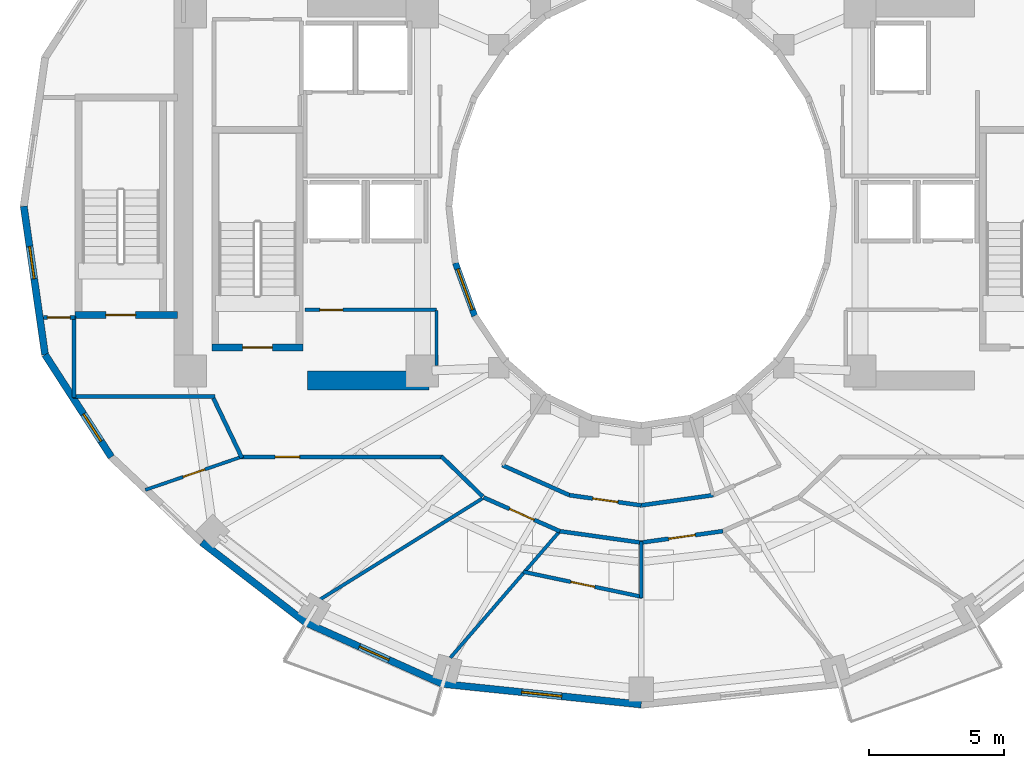
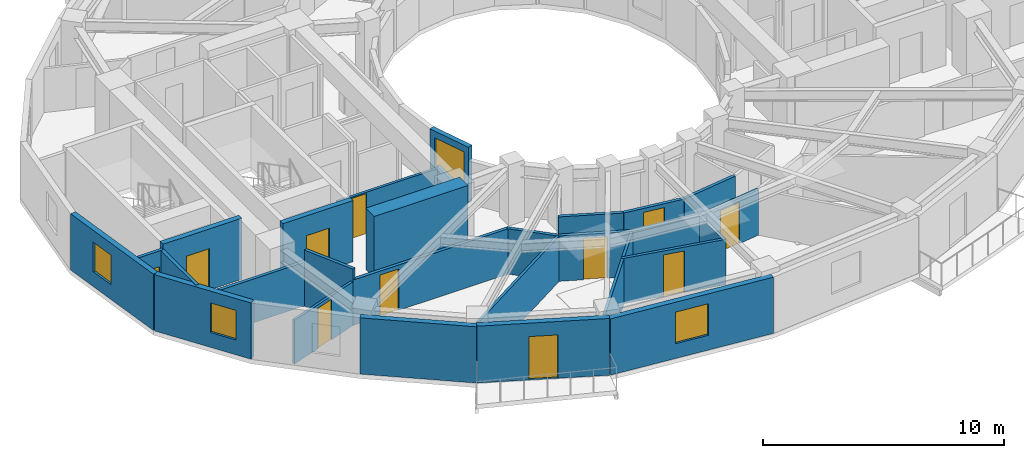
# One storey, part 3 of 10: 28 walls, 11 doors, 4 windows, 15 openings.
"""IFC4 building model written with IfcOpenShell, lengths in metres."""

from ifc_helpers import new_model, si_unit, direction, frame, frame_2d, origin, place, context, subcontext, project, spatial, rectangle, extrude, material, layer, layer_set, type_object, element, fill, save


model = new_model("IFC4")

# Units and contexts
model_context = context("Model", 3, precision=1e-05, world=origin(), true_north=direction((0.0, 1.0)))
body_context = subcontext(model_context, "Body", "Model", "MODEL_VIEW")
ifc_project = project(units=[si_unit("LENGTHUNIT", "METRE"), si_unit("AREAUNIT", "SQUARE_METRE"), si_unit("VOLUMEUNIT", "CUBIC_METRE"), si_unit("PLANEANGLEUNIT", "RADIAN"), si_unit("MASSUNIT", "GRAM", prefix="KILO")], contexts=[model_context])

# Site, building, storey
site_placement = place(None, origin())
site = spatial("IfcSite", under=ifc_project, at=site_placement, CompositionType="ELEMENT")
building_placement = place(site_placement, origin())
building = spatial("IfcBuilding", under=site, at=building_placement, Name="Solvane Sanctuary Tower", CompositionType="ELEMENT")
storey_placement = place(building_placement, frame((0.0, 0.0, 146.699951171875)))
storey = spatial("IfcBuildingStorey", under=building, at=storey_placement, Name="L44", CompositionType="ELEMENT", Elevation=146.699951171875)

# Wall
ifc_material_1 = material(Name="Concrete C60/75", Category="concrete")
ifc_layer_1 = layer(ifc_material_1, 0.699951171875, Name="Concrete C60/75")
ifc_layer_set_1 = layer_set([ifc_layer_1], Name="Concrete C60/75")
wall_type_1 = type_object("IfcWallType", Name="Wall W-CORE-700", PredefinedType="SHEAR", material=ifc_layer_set_1)
wall_1_placement = place(storey_placement, frame((19.64990234375, 16.550048828125, 0.0), z_axis=(0.0, 0.0, 1.0), x_axis=(1.0, 0.0, 0.0)))
element("IfcWall", 1, at=wall_1_placement, inside=storey, type_object=wall_type_1, Name="L44 Core Shear Wall WC-S", PredefinedType="SHEAR", context=body_context, shape_type="SweptSolid", body=[
    extrude(rectangle(XDim=4.5, YDim=0.699951171875, at=frame_2d((2.25, 0.0))), origin(), (0.0, 0.0, 1.0), 3.10009765625),
])

# Wall, opening, door
ifc_material_2 = material(Name="Acoustic Gypsum Partition Board")
ifc_layer_2 = layer(ifc_material_2, 0.14990234375, Name="Acoustic Gypsum Partition Board")
ifc_layer_set_2 = layer_set([ifc_layer_2], Name="Acoustic Gypsum Partition Board")
wall_type_2 = type_object("IfcWallType", Name="Wall W-CORR-150", PredefinedType="PARTITIONING", material=ifc_layer_set_2)
wall_2_placement = place(storey_placement, frame((9.869873046875, 18.8798828125, 0.0), z_axis=(0.0, 0.0, 1.0), x_axis=(1.0, 0.0, 0.0)))
wall_2 = element("IfcWall", 2, at=wall_2_placement, inside=storey, type_object=wall_type_2, Name="L44 SW Corner Closer 1", PredefinedType="PARTITIONING", context=body_context, shape_type="SweptSolid", body=[
    extrude(rectangle(XDim=1.170166015625, YDim=0.14990234375, at=frame_2d((0.5849609375, 0.0))), origin(), (0.0, 0.0, 1.0), 2.85498046875),
])
opening_1_placement = place(wall_2_placement, frame((0.139892578125, 0.0, 0.0)))
opening_1 = element("IfcOpeningElement", 3, at=opening_1_placement, cuts=wall_2, Name="Opening D-L44-19", PredefinedType="OPENING", context=body_context, shape_type="SweptSolid", body=[
    extrude(rectangle(XDim=0.85009765625, YDim=2.050048828125, at=frame_2d((0.425048828125, 1.02490234375))), frame((0.0, 0.0849609375, 0.0), z_axis=(0.0, -1.0, 0.0), x_axis=(1.0, 0.0, 0.0)), (0.0, 0.0, 1.0), 0.169921875),
])
ifc_material_3 = material(Name="Architectural Stainless Steel 316", Category="steel")
door_type_1 = type_object("IfcDoorType", Name="Door D-RISER", OperationType="NOTDEFINED", PredefinedType="DOOR", material=ifc_material_3)
door_1_placement = place(opening_1_placement, origin())
door_1 = element("IfcDoor", 4, at=door_1_placement, inside=storey, type_object=door_type_1, Name="L44 West Lookout Study Door", OperationType="SINGLE_SWING_RIGHT", OverallHeight=2.050048828125, OverallWidth=0.85009765625, PredefinedType="DOOR", context=body_context, shape_type="SweptSolid", body=[
    extrude(rectangle(XDim=0.85009765625, YDim=2.050048828125, at=frame_2d((0.425048828125, 1.02490234375))), frame((0.0, 0.02490234375, 0.0), z_axis=(0.0, -1.0, 0.0), x_axis=(1.0, 0.0, 0.0)), (0.0, 0.0, 1.0), 0.050048828125),
])
fill(opening_1, door_1)

# Walls
wall_3_placement = place(storey_placement, frame((11.0, 15.909912109375, 0.0), z_axis=(0.0, 0.0, 1.0), x_axis=(0.0, 1.0, 0.0)))
element("IfcWall", 5, at=wall_3_placement, inside=storey, type_object=wall_type_2, Name="L44 SW Corner Closer 2", PredefinedType="PARTITIONING", context=body_context, shape_type="SweptSolid", body=[
    extrude(rectangle(XDim=3.010009765625, YDim=0.14990234375, at=frame_2d((1.5048828125, 0.0))), origin(), (0.0, 0.0, 1.0), 2.85498046875),
])
wall_4_placement = place(storey_placement, frame((10.9599609375, 15.949951171875, 0.0), z_axis=(0.0, 0.0, 1.0), x_axis=(1.0, 0.0, 0.0)))
element("IfcWall", 6, at=wall_4_placement, inside=storey, type_object=wall_type_2, Name="L44 SW Corner Closer 3", PredefinedType="PARTITIONING", context=body_context, shape_type="SweptSolid", body=[
    extrude(rectangle(XDim=5.260009765625, YDim=0.14990234375, at=frame_2d((2.6298828125, 0.0))), origin(), (0.0, 0.0, 1.0), 2.219970703125),
])
wall_5_placement = place(storey_placement, frame((26.132568359375, 12.251220703125, 0.0), z_axis=(0.0, 0.0, 1.0), x_axis=(-0.717419568599, 0.696641344302, 0.0)))
element("IfcWall", 7, at=wall_5_placement, inside=storey, type_object=wall_type_2, Name="L44 SW Corner Throat Wall", PredefinedType="PARTITIONING", context=body_context, shape_type="SweptSolid", body=[
    extrude(rectangle(XDim=2.138427734375, YDim=0.14990234375, at=frame_2d((1.0693359375, 0.0))), origin(), (0.0, 0.0, 1.0), 2.299072265625),
])

# Wall, opening, door
wall_6_placement = place(storey_placement, frame((17.14990234375, 13.719970703125, 0.0), z_axis=(0.0, 0.0, 1.0), x_axis=(1.0, 0.0, 0.0)))
wall_6 = element("IfcWall", 8, at=wall_6_placement, inside=storey, type_object=wall_type_2, Name="L44 SW Corner Corridor Wall", PredefinedType="PARTITIONING", context=body_context, shape_type="SweptSolid", body=[
    extrude(rectangle(XDim=7.52001953125, YDim=0.14990234375, at=frame_2d((3.760009765625, 0.0))), origin(), (0.0, 0.0, 1.0), 2.299072265625),
])
opening_2_placement = place(wall_6_placement, frame((1.300048828125, 0.0, 0.0)))
opening_2 = element("IfcOpeningElement", 9, at=opening_2_placement, cuts=wall_6, Name="Opening D-L44-21", PredefinedType="OPENING", context=body_context, shape_type="SweptSolid", body=[
    extrude(rectangle(XDim=0.89990234375, YDim=2.10009765625, at=frame_2d((0.449951171875, 1.050048828125))), frame((0.0, 0.0849609375, 0.0), z_axis=(0.0, -1.0, 0.0), x_axis=(1.0, 0.0, 0.0)), (0.0, 0.0, 1.0), 0.169921875),
])
ifc_material_4 = material(Name="Engineered Tropical Hardwood", Category="wood")
door_type_2 = type_object("IfcDoorType", Name="Door D-WET-900", OperationType="NOTDEFINED", PredefinedType="DOOR", material=ifc_material_4)
door_2_placement = place(opening_2_placement, origin())
door_2 = element("IfcDoor", 10, at=door_2_placement, inside=storey, type_object=door_type_2, Name="L44 SW Corner Salon Door", OperationType="SINGLE_SWING_RIGHT", OverallHeight=2.10009765625, OverallWidth=0.89990234375, PredefinedType="DOOR", context=body_context, shape_type="SweptSolid", body=[
    extrude(rectangle(XDim=0.89990234375, YDim=2.10009765625, at=frame_2d((0.449951171875, 1.050048828125))), frame((0.0, 0.02490234375, 0.0), z_axis=(0.0, -1.0, 0.0), x_axis=(1.0, 0.0, 0.0)), (0.0, 0.0, 1.0), 0.050048828125),
])
fill(opening_2, door_2)

# Walls
wall_7_placement = place(storey_placement, frame((17.2216796875, 13.6748046875, 0.0), z_axis=(0.0, 0.0, 1.0), x_axis=(-0.431973389813, 0.901886351207, 0.0)))
element("IfcWall", 11, at=wall_7_placement, inside=storey, type_object=wall_type_2, Name="L44 SW Corner Wing Wall", PredefinedType="PARTITIONING", context=body_context, shape_type="SweptSolid", body=[
    extrude(rectangle(XDim=2.45166015625, YDim=0.14990234375, at=frame_2d((1.225830078125, 0.0))), origin(), (0.0, 0.0, 1.0), 2.85498046875),
])
wall_8_placement = place(storey_placement, frame((26.855712890625, 13.411865234375, 0.0), z_axis=(0.0, 0.0, 1.0), x_axis=(0.912985265053, -0.407992531545, 0.0)))
element("IfcWall", 12, at=wall_8_placement, inside=storey, type_object=wall_type_2, Name="L44 Inner Light-Well Corridor Wall S1", PredefinedType="PARTITIONING", context=body_context, shape_type="SweptSolid", body=[
    extrude(rectangle(XDim=2.723388671875, YDim=0.14990234375, at=frame_2d((1.36181640625, 0.0))), origin(), (0.0, 0.0, 1.0), 2.299072265625),
])

# Wall, opening, door
wall_9_placement = place(storey_placement, frame((29.338623046875, 12.302001953125, 0.0), z_axis=(0.0, 0.0, 1.0), x_axis=(0.990079774468, -0.140506370634, 0.0)))
wall_9 = element("IfcWall", 13, at=wall_9_placement, inside=storey, type_object=wall_type_2, Name="L44 Inner Light-Well Corridor Wall S1", PredefinedType="PARTITIONING", context=body_context, shape_type="SweptSolid", body=[
    extrude(rectangle(XDim=2.689697265625, YDim=0.14990234375, at=frame_2d((1.3447265625, 0.0))), origin(), (0.0, 0.0, 1.0), 2.299072265625),
])
opening_3_placement = place(wall_9_placement, frame((0.869873046875, 0.0, 0.0)))
opening_3 = element("IfcOpeningElement", 14, at=opening_3_placement, cuts=wall_9, Name="Opening D-L44-23", PredefinedType="OPENING", context=body_context, shape_type="SweptSolid", body=[
    extrude(rectangle(XDim=0.949951171875, YDim=2.10009765625, at=frame_2d((0.47509765625, 1.050048828125))), frame((0.0, 0.0849609375, 0.0), z_axis=(0.0, -1.0, 0.0), x_axis=(1.0, 0.0, 0.0)), (0.0, 0.0, 1.0), 0.169921875),
])
door_type_3 = type_object("IfcDoorType", Name="Door D-ROOM-950", OperationType="NOTDEFINED", PredefinedType="DOOR", material=ifc_material_4)
door_3_placement = place(opening_3_placement, origin())
door_3 = element("IfcDoor", 15, at=door_3_placement, inside=storey, type_object=door_type_3, Name="L44 Inner Light-Well Salon Door S1", OperationType="SINGLE_SWING_RIGHT", OverallHeight=2.10009765625, OverallWidth=0.949951171875, PredefinedType="DOOR", context=body_context, shape_type="SweptSolid", body=[
    extrude(rectangle(XDim=0.949951171875, YDim=2.10009765625, at=frame_2d((0.47509765625, 1.050048828125))), frame((0.0, 0.02490234375, 0.0), z_axis=(0.0, -1.0, 0.0), x_axis=(1.0, 0.0, 0.0)), (0.0, 0.0, 1.0), 0.050048828125),
])
fill(opening_3, door_3)

# Wall
wall_10_placement = place(storey_placement, frame((31.998291015625, 11.924072265625, 0.0), z_axis=(0.0, 0.0, 1.0), x_axis=(0.990041682628, 0.140774524184, 0.0)))
element("IfcWall", 16, at=wall_10_placement, inside=storey, type_object=wall_type_2, Name="L44 Inner Light-Well Corridor Wall S1", PredefinedType="PARTITIONING", context=body_context, shape_type="SweptSolid", body=[
    extrude(rectangle(XDim=2.695068359375, YDim=0.14990234375, at=frame_2d((1.34765625, 0.0))), origin(), (0.0, 0.0, 1.0), 2.299072265625),
])

# Wall, opening, door
wall_11_placement = place(storey_placement, frame((26.1650390625, 12.217041015625, 0.0), z_axis=(0.0, 0.0, 1.0), x_axis=(0.91445214467, -0.404694051239, 0.0)))
wall_11 = element("IfcWall", 17, at=wall_11_placement, inside=storey, type_object=wall_type_2, Name="L44 Unit Corridor Wall S1", PredefinedType="PARTITIONING", context=body_context, shape_type="SweptSolid", body=[
    extrude(rectangle(XDim=3.090576171875, YDim=0.14990234375, at=frame_2d((1.54541015625, 0.0))), origin(), (0.0, 0.0, 1.0), 2.299072265625),
])
opening_4_placement = place(wall_11_placement, frame((1.04541015625, 0.0, 0.0)))
opening_4 = element("IfcOpeningElement", 18, at=opening_4_placement, cuts=wall_11, Name="Opening D-L44-31", PredefinedType="OPENING", context=body_context, shape_type="SweptSolid", body=[
    extrude(rectangle(XDim=1.0, YDim=2.10009765625, at=frame_2d((0.5, 1.050048828125))), frame((0.0, 0.0849609375, 0.0), z_axis=(0.0, -1.0, 0.0), x_axis=(1.0, 0.0, 0.0)), (0.0, 0.0, 1.0), 0.169921875),
])
door_type_4 = type_object("IfcDoorType", Name="Door D-UNIT", OperationType="NOTDEFINED", PredefinedType="DOOR", material=ifc_material_4)
door_4_placement = place(opening_4_placement, origin())
door_4 = element("IfcDoor", 19, at=door_4_placement, inside=storey, type_object=door_type_4, Name="L44 Unit Entrance Door S1", OperationType="SINGLE_SWING_RIGHT", OverallHeight=2.10009765625, OverallWidth=1.0, PredefinedType="DOOR", context=body_context, shape_type="SweptSolid", body=[
    extrude(rectangle(XDim=1.0, YDim=2.10009765625, at=frame_2d((0.5, 1.050048828125))), frame((0.0, 0.02490234375, 0.0), z_axis=(0.0, -1.0, 0.0), x_axis=(1.0, 0.0, 0.0)), (0.0, 0.0, 1.0), 0.050048828125),
])
fill(opening_4, door_4)

# Wall
wall_12_placement = place(storey_placement, frame((28.93359375, 10.975341796875, 0.0), z_axis=(0.0, 0.0, 1.0), x_axis=(0.990254405439, -0.139270285808, 0.0)))
element("IfcWall", 20, at=wall_12_placement, inside=storey, type_object=wall_type_2, Name="L44 En-suite Inner Wall S2", PredefinedType="PARTITIONING", context=body_context, shape_type="SweptSolid", body=[
    extrude(rectangle(XDim=3.146728515625, YDim=0.14990234375, at=frame_2d((1.5732421875, 0.0))), origin(), (0.0, 0.0, 1.0), 2.299072265625),
])

# Wall, opening, door
wall_13_placement = place(storey_placement, frame((31.991943359375, 10.5439453125, 0.0), z_axis=(0.0, 0.0, 1.0), x_axis=(0.990243864279, 0.139345216129, 0.0)))
wall_13 = element("IfcWall", 21, at=wall_13_placement, inside=storey, type_object=wall_type_2, Name="L44 Unit Corridor Wall S2", PredefinedType="PARTITIONING", context=body_context, shape_type="SweptSolid", body=[
    extrude(rectangle(XDim=3.0625, YDim=0.14990234375, at=frame_2d((1.53125, 0.0))), origin(), (0.0, 0.0, 1.0), 2.299072265625),
])
opening_5_placement = place(wall_13_placement, frame((1.03125, 0.0, 0.0)))
opening_5 = element("IfcOpeningElement", 22, at=opening_5_placement, cuts=wall_13, Name="Opening D-L44-33", PredefinedType="OPENING", context=body_context, shape_type="SweptSolid", body=[
    extrude(rectangle(XDim=1.0, YDim=2.10009765625, at=frame_2d((0.5, 1.050048828125))), frame((0.0, 0.0849609375, 0.0), z_axis=(0.0, -1.0, 0.0), x_axis=(1.0, 0.0, 0.0)), (0.0, 0.0, 1.0), 0.169921875),
])
door_5_placement = place(opening_5_placement, origin())
door_5 = element("IfcDoor", 23, at=door_5_placement, inside=storey, type_object=door_type_4, Name="L44 Unit Entrance Door S2", OperationType="SINGLE_SWING_RIGHT", OverallHeight=2.10009765625, OverallWidth=1.0, PredefinedType="DOOR", context=body_context, shape_type="SweptSolid", body=[
    extrude(rectangle(XDim=1.0, YDim=2.10009765625, at=frame_2d((0.5, 1.050048828125))), frame((0.0, 0.02490234375, 0.0), z_axis=(0.0, -1.0, 0.0), x_axis=(1.0, 0.0, 0.0)), (0.0, 0.0, 1.0), 0.050048828125),
])
fill(opening_5, door_5)

# Wall, opening, window
ifc_material_5 = material(Name="Precast concrete C40/50", Category="concrete")
ifc_layer_3 = layer(ifc_material_5, 0.260009765625, Name="Precast concrete C40/50")
ifc_layer_set_3 = layer_set([ifc_layer_3], Name="Precast concrete C40/50")
wall_type_3 = type_object("IfcWallType", Name="Wall W-EXT-250", PredefinedType="STANDARD", material=ifc_layer_set_3)
wall_14_placement = place(storey_placement, frame((9.139892578125, 23.0, 0.0), z_axis=(0.0, 0.0, 1.0), x_axis=(0.142227632286, -0.989833976288, 0.0)))
wall_14 = element("IfcWall", 24, at=wall_14_placement, inside=storey, type_object=wall_type_3, Name="L44 Ceramic-Printed Facade Wall 12", PredefinedType="STANDARD", context=body_context, shape_type="SweptSolid", body=[
    extrude(rectangle(XDim=5.552978515625, YDim=0.260009765625, at=frame_2d((2.7763671875, 0.0))), origin(), (0.0, 0.0, 1.0), 2.85009765625),
])
opening_6_placement = place(wall_14_placement, frame((1.506103515625, 0.0, 0.75)))
opening_6 = element("IfcOpeningElement", 25, at=opening_6_placement, cuts=wall_14, Name="Opening WN-OPER-1200", PredefinedType="OPENING", context=body_context, shape_type="SweptSolid", body=[
    extrude(rectangle(XDim=1.199951171875, YDim=1.5, at=frame_2d((0.60009765625, 0.75))), frame((0.0, 0.139892578125, 0.0), z_axis=(0.0, -1.0, 0.0), x_axis=(1.0, 0.0, 0.0)), (0.0, 0.0, 1.0), 0.280029296875),
])
ifc_material_6 = material(Name="Dark Ceramic-Fritted Low-E Glass", Category="glass")
window_type_1 = type_object("IfcWindowType", Name="Window WN-OPER-1200", PartitioningType="SINGLE_PANEL", PredefinedType="WINDOW", material=ifc_material_6)
window_1_placement = place(opening_6_placement, origin())
window_1 = element("IfcWindow", 26, at=window_1_placement, inside=storey, type_object=window_type_1, Name="L44 Operable Facade Window 12", OverallHeight=1.5, OverallWidth=1.199951171875, PartitioningType="SINGLE_PANEL", PredefinedType="WINDOW", context=body_context, shape_type="SweptSolid", body=[
    extrude(rectangle(XDim=1.199951171875, YDim=1.5, at=frame_2d((0.60009765625, 0.75))), frame((0.0, 0.030029296875, 0.0), z_axis=(0.0, -1.0, 0.0), x_axis=(1.0, 0.0, 0.0)), (0.0, 0.0, 1.0), 0.06005859375),
])
fill(opening_6, window_1)

wall_15_placement = place(storey_placement, frame((9.9296875, 17.50341796875, 0.0), z_axis=(0.0, 0.0, 1.0), x_axis=(0.543358984534, -0.839500454989, 0.0)))
wall_15 = element("IfcWall", 27, at=wall_15_placement, inside=storey, type_object=wall_type_3, Name="L44 Ceramic-Printed Facade Wall 13", PredefinedType="STANDARD", context=body_context, shape_type="SweptSolid", body=[
    extrude(rectangle(XDim=4.51123046875, YDim=0.260009765625, at=frame_2d((2.255615234375, 0.0))), origin(), (0.0, 0.0, 1.0), 2.85009765625),
])
opening_7_placement = place(wall_15_placement, frame((2.615478515625, 0.0, 0.75)))
opening_7 = element("IfcOpeningElement", 28, at=opening_7_placement, cuts=wall_15, Name="Opening WN-OPER-1200", PredefinedType="OPENING", context=body_context, shape_type="SweptSolid", body=[
    extrude(rectangle(XDim=1.199951171875, YDim=1.5, at=frame_2d((0.60009765625, 0.75))), frame((0.0, 0.139892578125, 0.0), z_axis=(0.0, -1.0, 0.0), x_axis=(1.0, 0.0, 0.0)), (0.0, 0.0, 1.0), 0.280029296875),
])
window_2_placement = place(opening_7_placement, origin())
window_2 = element("IfcWindow", 29, at=window_2_placement, inside=storey, type_object=window_type_1, Name="L44 Operable Facade Window 13", OverallHeight=1.5, OverallWidth=1.199951171875, PartitioningType="SINGLE_PANEL", PredefinedType="WINDOW", context=body_context, shape_type="SweptSolid", body=[
    extrude(rectangle(XDim=1.199951171875, YDim=1.5, at=frame_2d((0.60009765625, 0.75))), frame((0.0, 0.030029296875, 0.0), z_axis=(0.0, -1.0, 0.0), x_axis=(1.0, 0.0, 0.0)), (0.0, 0.0, 1.0), 0.06005859375),
])
fill(opening_7, window_2)

# Wall
wall_16_placement = place(storey_placement, frame((15.730712890625, 10.55859375, 0.0), z_axis=(0.0, 0.0, 1.0), x_axis=(0.791460185804, -0.611220724687, 0.0)))
element("IfcWall", 30, at=wall_16_placement, inside=storey, type_object=wall_type_3, Name="L44 Ceramic-Printed Facade Wall 15", PredefinedType="STANDARD", context=body_context, shape_type="SweptSolid", body=[
    extrude(rectangle(XDim=4.872314453125, YDim=0.260009765625, at=frame_2d((2.43603515625, 0.0))), origin(), (0.0, 0.0, 1.0), 2.85009765625),
])

# Wall, opening, door
wall_17_placement = place(storey_placement, frame((19.5869140625, 7.58056640625, 0.0), z_axis=(0.0, 0.0, 1.0), x_axis=(0.912353637112, -0.409403029847, 0.0)))
wall_17 = element("IfcWall", 31, at=wall_17_placement, inside=storey, type_object=wall_type_3, Name="L44 Balcony Facade Wall S1", PredefinedType="STANDARD", context=body_context, shape_type="SweptSolid", body=[
    extrude(rectangle(XDim=5.53271484375, YDim=0.260009765625, at=frame_2d((2.766357421875, 0.0))), origin(), (0.0, 0.0, 1.0), 2.880126953125),
])
opening_8_placement = place(wall_17_placement, frame((2.16650390625, 0.0, 0.0)))
opening_8 = element("IfcOpeningElement", 32, at=opening_8_placement, cuts=wall_17, Name="Opening D-L44-03", PredefinedType="OPENING", context=body_context, shape_type="SweptSolid", body=[
    extrude(rectangle(XDim=1.199951171875, YDim=2.199951171875, at=frame_2d((0.60009765625, 1.10009765625))), frame((0.0, 0.139892578125, 0.0), z_axis=(0.0, -1.0, 0.0), x_axis=(1.0, 0.0, 0.0)), (0.0, 0.0, 1.0), 0.280029296875),
])
ifc_material_7 = material(Name="Anodised Aluminium 6063-T6", Category="aluminium")
door_type_5 = type_object("IfcDoorType", Name="Door D-BALC-1200", OperationType="NOTDEFINED", PredefinedType="DOOR", material=ifc_material_7)
door_6_placement = place(opening_8_placement, origin())
door_6 = element("IfcDoor", 33, at=door_6_placement, inside=storey, type_object=door_type_5, Name="L44 Glazed Balcony Door S1", OperationType="SINGLE_SWING_RIGHT", OverallHeight=2.199951171875, OverallWidth=1.199951171875, PredefinedType="DOOR", context=body_context, shape_type="SweptSolid", body=[
    extrude(rectangle(XDim=1.199951171875, YDim=2.199951171875, at=frame_2d((0.60009765625, 1.10009765625))), frame((0.0, 0.02490234375, 0.0), z_axis=(0.0, -1.0, 0.0), x_axis=(1.0, 0.0, 0.0)), (0.0, 0.0, 1.0), 0.050048828125),
])
fill(opening_8, door_6)

# Wall, opening, window
wall_18_placement = place(storey_placement, frame((24.634765625, 5.3154296875, 0.0), z_axis=(0.0, 0.0, 1.0), x_axis=(0.994664178965, -0.10316574569, 0.0)))
wall_18 = element("IfcWall", 34, at=wall_18_placement, inside=storey, type_object=wall_type_3, Name="L44 Ceramic-Printed Facade Wall 17", PredefinedType="STANDARD", context=body_context, shape_type="SweptSolid", body=[
    extrude(rectangle(XDim=7.40478515625, YDim=0.260009765625, at=frame_2d((3.702392578125, 0.0))), origin(), (0.0, 0.0, 1.0), 2.85009765625),
])
opening_9_placement = place(wall_18_placement, frame((2.952392578125, 0.0, 0.75)))
opening_9 = element("IfcOpeningElement", 35, at=opening_9_placement, cuts=wall_18, Name="Opening WN-OPER-1500", PredefinedType="OPENING", context=body_context, shape_type="SweptSolid", body=[
    extrude(rectangle(XDim=1.5, YDim=1.60009765625, at=frame_2d((0.75, 0.800048828125))), frame((0.0, 0.139892578125, 0.0), z_axis=(0.0, -1.0, 0.0), x_axis=(1.0, 0.0, 0.0)), (0.0, 0.0, 1.0), 0.280029296875),
])
window_type_2 = type_object("IfcWindowType", Name="Window WN-OPER-1500", PartitioningType="SINGLE_PANEL", PredefinedType="WINDOW", material=ifc_material_6)
window_3_placement = place(opening_9_placement, origin())
window_3 = element("IfcWindow", 36, at=window_3_placement, inside=storey, type_object=window_type_2, Name="L44 Operable Facade Window 17", OverallHeight=1.60009765625, OverallWidth=1.5, PartitioningType="SINGLE_PANEL", PredefinedType="WINDOW", context=body_context, shape_type="SweptSolid", body=[
    extrude(rectangle(XDim=1.5, YDim=1.60009765625, at=frame_2d((0.75, 0.800048828125))), frame((0.0, 0.030029296875, 0.0), z_axis=(0.0, -1.0, 0.0), x_axis=(1.0, 0.0, 0.0)), (0.0, 0.0, 1.0), 0.06005859375),
])
fill(opening_9, window_3)

ifc_layer_4 = layer(ifc_material_5, 0.22998046875, Name="Precast concrete C40/50")
ifc_layer_set_4 = layer_set([ifc_layer_4], Name="Precast concrete C40/50")
wall_type_4 = type_object("IfcWallType", Name="Wall W-EXT-SP220", PredefinedType="STANDARD", material=ifc_layer_set_4)
wall_19_placement = place(storey_placement, frame((25.12255859375, 20.8984375, 0.0), z_axis=(0.0, 0.0, 1.0), x_axis=(0.341423187295, -0.93990968033, 0.0)))
wall_19 = element("IfcWall", 37, at=wall_19_placement, inside=storey, type_object=wall_type_4, Name="L44 Central Light-Well Wall 13", PredefinedType="STANDARD", context=body_context, shape_type="SweptSolid", body=[
    extrude(rectangle(XDim=2.083740234375, YDim=0.22998046875, at=frame_2d((1.0419921875, 0.0))), origin(), (0.0, 0.0, 1.0), 2.840087890625),
])
opening_10_placement = place(wall_19_placement, frame((0.24169921875, 0.0, 0.85009765625)))
opening_10 = element("IfcOpeningElement", 38, at=opening_10_placement, cuts=wall_19, Name="Opening WN-WELL-1600", PredefinedType="OPENING", context=body_context, shape_type="SweptSolid", body=[
    extrude(rectangle(XDim=1.60009765625, YDim=1.64990234375, at=frame_2d((0.800048828125, 0.824951171875))), frame((0.0, 0.125, 0.0), z_axis=(0.0, -1.0, 0.0), x_axis=(1.0, 0.0, 0.0)), (0.0, 0.0, 1.0), 0.25),
])
ifc_material_8 = material(Name="Clear Laminated Light-Well Glass", Category="glass")
window_type_3 = type_object("IfcWindowType", Name="Window WN-WELL-1600", PartitioningType="SINGLE_PANEL", PredefinedType="WINDOW", material=ifc_material_8)
window_4_placement = place(opening_10_placement, origin())
window_4 = element("IfcWindow", 39, at=window_4_placement, inside=storey, type_object=window_type_3, Name="L44 Light-Well Daylight Window 13", OverallHeight=1.64990234375, OverallWidth=1.60009765625, PartitioningType="SINGLE_PANEL", PredefinedType="WINDOW", context=body_context, shape_type="SweptSolid", body=[
    extrude(rectangle(XDim=1.60009765625, YDim=1.64990234375, at=frame_2d((0.800048828125, 0.824951171875))), frame((0.0, 0.030029296875, 0.0), z_axis=(0.0, -1.0, 0.0), x_axis=(1.0, 0.0, 0.0)), (0.0, 0.0, 1.0), 0.06005859375),
])
fill(opening_10, window_4)

# Wall, opening, door
ifc_layer_5 = layer(ifc_material_2, 0.1201171875, Name="Acoustic Gypsum Partition Board")
ifc_layer_set_5 = layer_set([ifc_layer_5], Name="Acoustic Gypsum Partition Board")
wall_type_5 = type_object("IfcWallType", Name="Wall W-MOV-100", PredefinedType="MOVABLE", material=ifc_layer_set_5)
wall_20_placement = place(storey_placement, frame((17.247314453125, 13.736328125, 0.0), z_axis=(0.0, 0.0, 1.0), x_axis=(-0.945683523506, -0.325088716151, 0.0)))
wall_20 = element("IfcWall", 40, at=wall_20_placement, inside=storey, type_object=wall_type_5, Name="L44 SW Corner Suite Partition", PredefinedType="MOVABLE", context=body_context, shape_type="SweptSolid", body=[
    extrude(rectangle(XDim=3.812744140625, YDim=0.1201171875, at=frame_2d((1.90625, 0.0))), origin(), (0.0, 0.0, 1.0), 2.219970703125),
])
opening_11_placement = place(wall_20_placement, frame((1.4814453125, 0.0, 0.0)))
opening_11 = element("IfcOpeningElement", 41, at=opening_11_placement, cuts=wall_20, Name="Opening D-L44-20", PredefinedType="OPENING", context=body_context, shape_type="SweptSolid", body=[
    extrude(rectangle(XDim=0.85009765625, YDim=2.050048828125, at=frame_2d((0.425048828125, 1.02490234375))), frame((0.0, 0.070068359375, 0.0), z_axis=(0.0, -1.0, 0.0), x_axis=(1.0, 0.0, 0.0)), (0.0, 0.0, 1.0), 0.14013671875),
])
door_7_placement = place(opening_11_placement, origin())
door_7 = element("IfcDoor", 42, at=door_7_placement, inside=storey, type_object=door_type_1, Name="L44 SW Corner Suite Door", OperationType="SINGLE_SWING_LEFT", OverallHeight=2.050048828125, OverallWidth=0.85009765625, PredefinedType="DOOR", context=body_context, shape_type="SweptSolid", body=[
    extrude(rectangle(XDim=0.85009765625, YDim=2.050048828125, at=frame_2d((0.425048828125, 1.02490234375))), frame((0.0, 0.02490234375, 0.0), z_axis=(0.0, -1.0, 0.0), x_axis=(1.0, 0.0, 0.0)), (0.0, 0.0, 1.0), 0.050048828125),
])
fill(opening_11, door_7)

ifc_layer_6 = layer(ifc_material_2, 0.125, Name="Acoustic Gypsum Partition Board")
ifc_layer_set_6 = layer_set([ifc_layer_6], Name="Acoustic Gypsum Partition Board")
wall_type_6 = type_object("IfcWallType", Name="Wall W-PART-125", PredefinedType="PARTITIONING", material=ifc_layer_set_6)
wall_21_placement = place(storey_placement, frame((19.550048828125, 19.159912109375, 0.0), z_axis=(0.0, 0.0, 1.0), x_axis=(1.0, 0.0, 0.0)))
wall_21 = element("IfcWall", 43, at=wall_21_placement, inside=storey, type_object=wall_type_6, Name="L44 Reclaimed Room Partition PLW", PredefinedType="PARTITIONING", context=body_context, shape_type="SweptSolid", body=[
    extrude(rectangle(XDim=4.869873046875, YDim=0.125, at=frame_2d((2.43505859375, 0.0))), origin(), (0.0, 0.0, 1.0), 2.1201171875),
])
opening_12_placement = place(wall_21_placement, frame((0.550048828125, 0.0, 0.0)))
opening_12 = element("IfcOpeningElement", 44, at=opening_12_placement, cuts=wall_21, Name="Opening D-L44-10", PredefinedType="OPENING", context=body_context, shape_type="SweptSolid", body=[
    extrude(rectangle(XDim=0.85009765625, YDim=2.050048828125, at=frame_2d((0.425048828125, 1.02490234375))), frame((0.0, 0.072509765625, 0.0), z_axis=(0.0, -1.0, 0.0), x_axis=(1.0, 0.0, 0.0)), (0.0, 0.0, 1.0), 0.14501953125),
])
door_8_placement = place(opening_12_placement, origin())
door_8 = element("IfcDoor", 45, at=door_8_placement, inside=storey, type_object=door_type_1, Name="L44 Reclaimed Room Door PLW-1", OperationType="SINGLE_SWING_LEFT", OverallHeight=2.050048828125, OverallWidth=0.85009765625, PredefinedType="DOOR", context=body_context, shape_type="SweptSolid", body=[
    extrude(rectangle(XDim=0.85009765625, YDim=2.050048828125, at=frame_2d((0.425048828125, 1.02490234375))), frame((0.0, 0.02490234375, 0.0), z_axis=(0.0, -1.0, 0.0), x_axis=(1.0, 0.0, 0.0)), (0.0, 0.0, 1.0), 0.050048828125),
])
fill(opening_12, door_8)

# Walls
wall_22_placement = place(storey_placement, frame((24.419921875, 17.10009765625, 0.0), z_axis=(0.0, 0.0, 1.0), x_axis=(0.0, 1.0, 0.0)))
element("IfcWall", 46, at=wall_22_placement, inside=storey, type_object=wall_type_6, Name="L44 Reclaimed Room Closer Wall PLW-1", PredefinedType="PARTITIONING", context=body_context, shape_type="SweptSolid", body=[
    extrude(rectangle(XDim=2.039794921875, YDim=0.125, at=frame_2d((1.02001953125, 0.0))), origin(), (0.0, 0.0, 1.0), 2.23193359375),
])
wall_23_placement = place(storey_placement, frame((26.125244140625, 12.18359375, 0.0), z_axis=(0.0, 0.0, 1.0), x_axis=(-0.849008457073, -0.528379257559, 0.0)))
element("IfcWall", 47, at=wall_23_placement, inside=storey, type_object=wall_type_6, Name="L44 Radial Compartment Wall 240", PredefinedType="PARTITIONING", context=body_context, shape_type="SweptSolid", body=[
    extrude(rectangle(XDim=7.076904296875, YDim=0.125, at=frame_2d((3.53857421875, 0.0))), origin(), (0.0, 0.0, 1.0), 2.299072265625),
])
wall_24_placement = place(storey_placement, frame((28.947265625, 10.9267578125, 0.0), z_axis=(0.0, 0.0, 1.0), x_axis=(-0.653779283332, -0.756685303601, 0.0)))
element("IfcWall", 48, at=wall_24_placement, inside=storey, type_object=wall_type_6, Name="L44 Radial Compartment Wall 255", PredefinedType="PARTITIONING", context=body_context, shape_type="SweptSolid", body=[
    extrude(rectangle(XDim=6.139892578125, YDim=0.125, at=frame_2d((3.06982421875, 0.0))), origin(), (0.0, 0.0, 1.0), 2.299072265625),
])

# Wall, opening, door
ifc_material_9 = material(Name="Concrete C50/60", Category="concrete")
ifc_layer_7 = layer(ifc_material_9, 0.25, Name="Concrete C50/60")
ifc_layer_set_7 = layer_set([ifc_layer_7], Name="Concrete C50/60")
wall_type_7 = type_object("IfcWallType", Name="Wall W-SHAFT-250", PredefinedType="SOLIDWALL", material=ifc_layer_set_7)
wall_25_placement = place(storey_placement, frame((16.10498046875, 17.77001953125, 0.0), z_axis=(0.0, 0.0, 1.0), x_axis=(1.0, 0.0, 0.0)))
wall_25 = element("IfcWall", 49, at=wall_25_placement, inside=storey, type_object=wall_type_7, Name="L44 ST-1 Load-Bearing Shaft Wall S", PredefinedType="SOLIDWALL", context=body_context, shape_type="SweptSolid", body=[
    extrude(rectangle(XDim=3.3701171875, YDim=0.25, at=frame_2d((1.68505859375, 0.0))), origin(), (0.0, 0.0, 1.0), 3.10009765625),
])
opening_13_placement = place(wall_25_placement, frame((1.135009765625, 0.0, 0.0)))
opening_13 = element("IfcOpeningElement", 50, at=opening_13_placement, cuts=wall_25, Name="Opening D-L44-05", PredefinedType="OPENING", context=body_context, shape_type="SweptSolid", body=[
    extrude(rectangle(XDim=1.10009765625, YDim=2.10009765625, at=frame_2d((0.550048828125, 1.050048828125))), frame((0.0, 0.135009765625, 0.0), z_axis=(0.0, -1.0, 0.0), x_axis=(1.0, 0.0, 0.0)), (0.0, 0.0, 1.0), 0.27001953125),
])
door_type_6 = type_object("IfcDoorType", Name="Door D-STAIR", OperationType="NOTDEFINED", PredefinedType="DOOR", material=ifc_material_3)
door_9_placement = place(opening_13_placement, origin())
door_9 = element("IfcDoor", 51, at=door_9_placement, inside=storey, type_object=door_type_6, Name="L44 ST-1 Exit Stair Fire Door", OperationType="SINGLE_SWING_RIGHT", OverallHeight=2.10009765625, OverallWidth=1.10009765625, PredefinedType="DOOR", context=body_context, shape_type="SweptSolid", body=[
    extrude(rectangle(XDim=1.10009765625, YDim=2.10009765625, at=frame_2d((0.550048828125, 1.050048828125))), frame((0.0, 0.02490234375, 0.0), z_axis=(0.0, -1.0, 0.0), x_axis=(1.0, 0.0, 0.0)), (0.0, 0.0, 1.0), 0.050048828125),
])
fill(opening_13, door_9)

wall_26_placement = place(storey_placement, frame((11.044921875, 18.969970703125, 0.0), z_axis=(0.0, 0.0, 1.0), x_axis=(1.0, 0.0, 0.0)))
wall_26 = element("IfcWall", 52, at=wall_26_placement, inside=storey, type_object=wall_type_7, Name="L44 ST-3 Load-Bearing Shaft Wall S", PredefinedType="SOLIDWALL", context=body_context, shape_type="SweptSolid", body=[
    extrude(rectangle(XDim=3.781982421875, YDim=0.25, at=frame_2d((1.89111328125, 0.0))), origin(), (0.0, 0.0, 1.0), 3.10009765625),
])
opening_14_placement = place(wall_26_placement, frame((1.135009765625, 0.0, 0.0)))
opening_14 = element("IfcOpeningElement", 53, at=opening_14_placement, cuts=wall_26, Name="Opening D-L44-07", PredefinedType="OPENING", context=body_context, shape_type="SweptSolid", body=[
    extrude(rectangle(XDim=1.10009765625, YDim=2.10009765625, at=frame_2d((0.550048828125, 1.050048828125))), frame((0.0, 0.135009765625, 0.0), z_axis=(0.0, -1.0, 0.0), x_axis=(1.0, 0.0, 0.0)), (0.0, 0.0, 1.0), 0.27001953125),
])
door_10_placement = place(opening_14_placement, origin())
door_10 = element("IfcDoor", 54, at=door_10_placement, inside=storey, type_object=door_type_6, Name="L44 ST-3 Exit Stair Fire Door", OperationType="SINGLE_SWING_RIGHT", OverallHeight=2.10009765625, OverallWidth=1.10009765625, PredefinedType="DOOR", context=body_context, shape_type="SweptSolid", body=[
    extrude(rectangle(XDim=1.10009765625, YDim=2.10009765625, at=frame_2d((0.550048828125, 1.050048828125))), frame((0.0, 0.02490234375, 0.0), z_axis=(0.0, -1.0, 0.0), x_axis=(1.0, 0.0, 0.0)), (0.0, 0.0, 1.0), 0.050048828125),
])
fill(opening_14, door_10)

# Wall
ifc_layer_8 = layer(ifc_material_2, 0.139892578125, Name="Acoustic Gypsum Partition Board")
ifc_layer_set_8 = layer_set([ifc_layer_8], Name="Acoustic Gypsum Partition Board")
wall_type_8 = type_object("IfcWallType", Name="Wall W-WET-140", PredefinedType="PLUMBINGWALL", material=ifc_layer_set_8)
wall_27_placement = place(storey_placement, frame((32.0, 10.593994140625, 0.0), z_axis=(0.0, 0.0, 1.0), x_axis=(0.0, -1.0, 0.0)))
element("IfcWall", 55, at=wall_27_placement, inside=storey, type_object=wall_type_8, Name="L44 En-suite Side Partition S2", PredefinedType="PLUMBINGWALL", context=body_context, shape_type="SweptSolid", body=[
    extrude(rectangle(XDim=2.10009765625, YDim=0.139892578125, at=frame_2d((1.050048828125, 0.0))), origin(), (0.0, 0.0, 1.0), 2.299072265625),
])

# Wall, opening, door
wall_28_placement = place(storey_placement, frame((27.626708984375, 9.46533203125, 0.0), z_axis=(0.0, 0.0, 1.0), x_axis=(0.97851996891, -0.206152056609, 0.0)))
wall_28 = element("IfcWall", 56, at=wall_28_placement, inside=storey, type_object=wall_type_8, Name="L44 En-suite Bedroom Wall S2", PredefinedType="PLUMBINGWALL", context=body_context, shape_type="SweptSolid", body=[
    extrude(rectangle(XDim=4.519287109375, YDim=0.139892578125, at=frame_2d((2.259765625, 0.0))), origin(), (0.0, 0.0, 1.0), 2.299072265625),
])
opening_15_placement = place(wall_28_placement, frame((1.8095703125, 0.0, 0.0)))
opening_15 = element("IfcOpeningElement", 57, at=opening_15_placement, cuts=wall_28, Name="Opening D-L44-32", PredefinedType="OPENING", context=body_context, shape_type="SweptSolid", body=[
    extrude(rectangle(XDim=0.89990234375, YDim=2.10009765625, at=frame_2d((0.449951171875, 1.050048828125))), frame((0.0, 0.079833984375, 0.0), z_axis=(0.0, -1.0, 0.0), x_axis=(1.0, 0.0, 0.0)), (0.0, 0.0, 1.0), 0.159912109375),
])
door_11_placement = place(opening_15_placement, origin())
door_11 = element("IfcDoor", 58, at=door_11_placement, inside=storey, type_object=door_type_2, Name="L44 En-suite Bathroom Door S2", OperationType="SINGLE_SWING_LEFT", OverallHeight=2.10009765625, OverallWidth=0.89990234375, PredefinedType="DOOR", context=body_context, shape_type="SweptSolid", body=[
    extrude(rectangle(XDim=0.89990234375, YDim=2.10009765625, at=frame_2d((0.449951171875, 1.050048828125))), frame((0.0, 0.02490234375, 0.0), z_axis=(0.0, -1.0, 0.0), x_axis=(1.0, 0.0, 0.0)), (0.0, 0.0, 1.0), 0.050048828125),
])
fill(opening_15, door_11)

save(model, "model.ifc")
